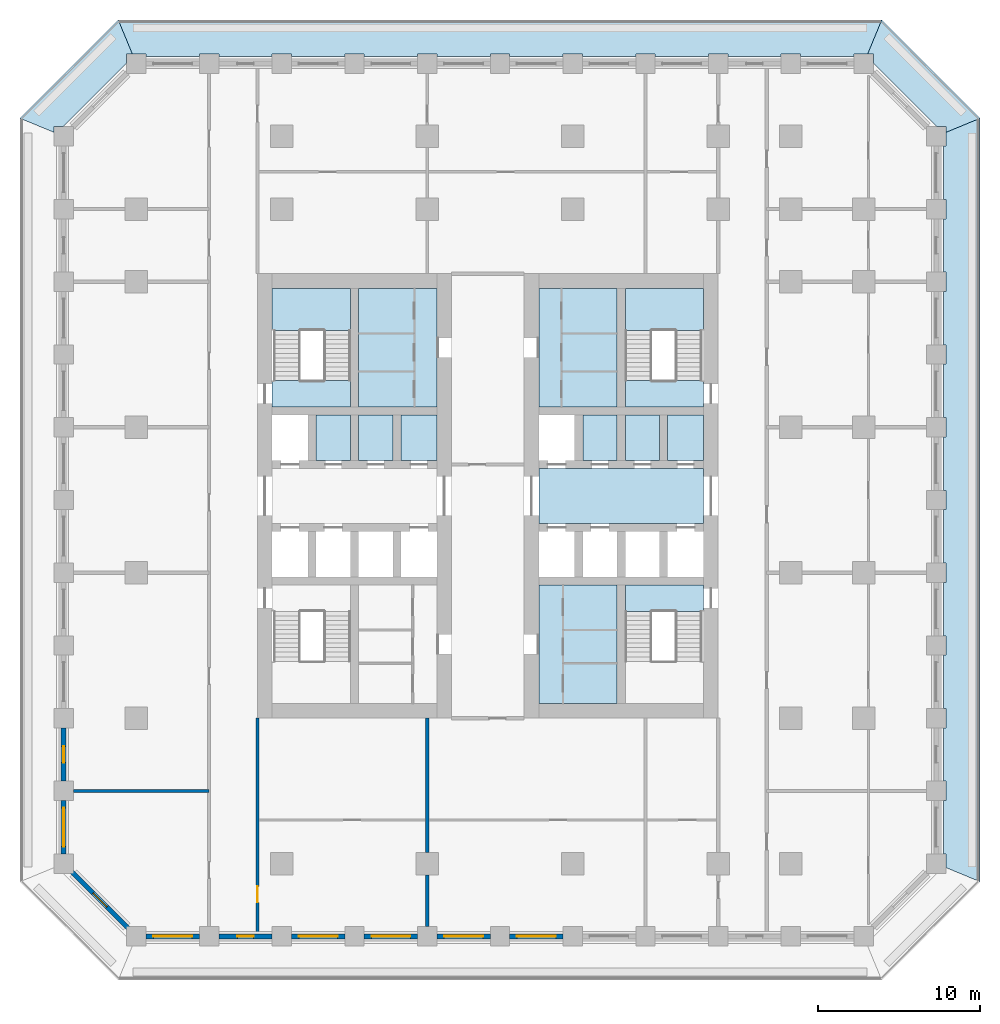
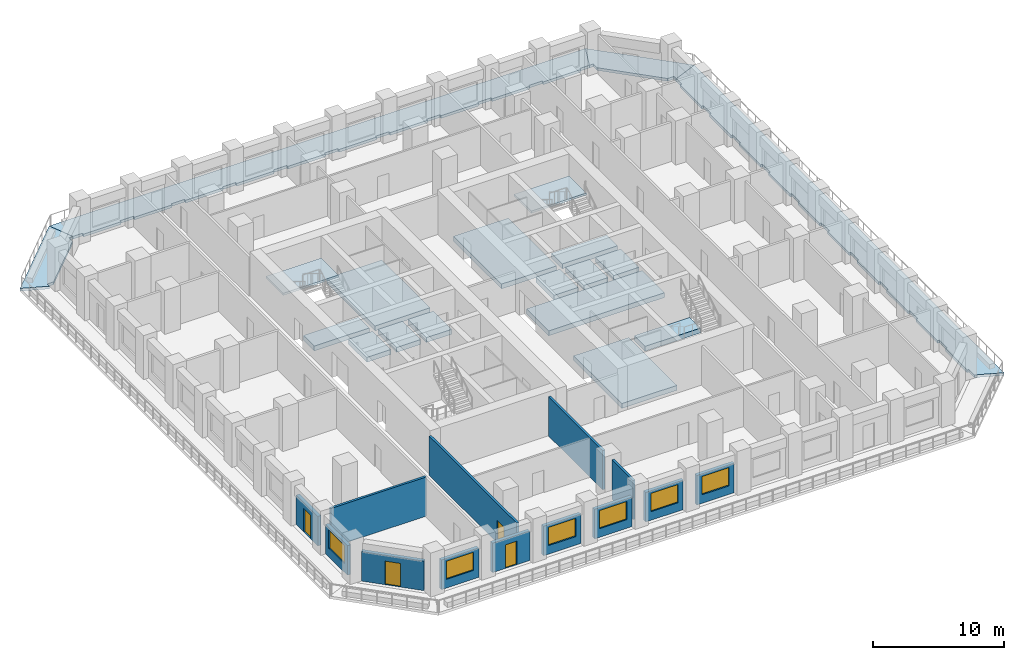
# One storey, part 2 of 17: 19 slabs, 13 walls, 6 windows, 4 doors, 10 openings, 2 elements without a shape of their own.
"""IFC4 building model written with IfcOpenShell, lengths in metres."""

from ifc_helpers import new_model, si_unit, direction, frame, frame_2d, origin, place, context, subcontext, project, spatial, polyline, rectangle, outline, extrude, material, layer, layer_set, type_object, element, fill, aggregate, save


model = new_model("IFC4")

# Units and contexts
model_context = context("Model", 3, precision=1e-05, world=origin(), true_north=direction((0.0, 1.0)))
body_context = subcontext(model_context, "Body", "Model", "MODEL_VIEW")
ifc_project = project(units=[si_unit("LENGTHUNIT", "METRE"), si_unit("AREAUNIT", "SQUARE_METRE"), si_unit("VOLUMEUNIT", "CUBIC_METRE"), si_unit("PLANEANGLEUNIT", "RADIAN"), si_unit("MASSUNIT", "GRAM", prefix="KILO")], contexts=[model_context])

# Site, building, storey
site_placement = place(None, origin())
site = spatial("IfcSite", under=ifc_project, at=site_placement, CompositionType="ELEMENT")
building_placement = place(site_placement, origin())
building = spatial("IfcBuilding", under=site, at=building_placement, Name="Corbel Stack Research Tower", CompositionType="ELEMENT")
storey_placement = place(building_placement, frame((0.0, 0.0, 94.300048828125)))
storey = spatial("IfcBuildingStorey", under=building, at=storey_placement, Name="L21", CompositionType="ELEMENT", Elevation=94.300048828125)

# Slabs
ifc_material_1 = material(Name="Concrete C45/55", Category="concrete")
ifc_layer_1 = layer(ifc_material_1, 0.25)
ifc_layer_set_1 = layer_set([ifc_layer_1], Name="Concrete C45/55")
slab_type_1 = type_object("IfcSlabType", Name="PT balcony slab 250 C45/55", PredefinedType="FLOOR", material=ifc_layer_set_1)
slab_1_placement = place(storey_placement, frame((0.0, 0.0, -0.25)))
element("IfcSlab", 1, at=slab_1_placement, inside=storey, type_object=slab_type_1, Name="Loggia slab L21 E", PredefinedType="FLOOR", context=body_context, shape_type="SweptSolid", body=[
    extrude(outline(polyline([(32.10009765625, 27.24853515625), (32.10009765625, 26.39990234375), (31.949951171875, 26.39990234375), (31.949951171875, 23.10009765625), (32.10009765625, 23.10009765625), (32.10009765625, 21.89990234375), (31.949951171875, 21.89990234375), (31.949951171875, 18.60009765625), (32.10009765625, 18.60009765625), (32.10009765625, 17.39990234375), (31.949951171875, 17.39990234375), (31.949951171875, 14.10009765625), (32.10009765625, 14.10009765625), (32.10009765625, 12.89990234375), (31.949951171875, 12.89990234375), (31.949951171875, 9.60009765625), (32.10009765625, 9.60009765625), (32.10009765625, 8.39990234375), (31.949951171875, 8.39990234375), (31.949951171875, 5.10009765625), (32.10009765625, 5.10009765625), (32.10009765625, 3.89990234375), (31.949951171875, 3.89990234375), (31.949951171875, 0.60009765625), (32.10009765625, 0.60009765625), (32.10009765625, -0.60009765625), (31.949951171875, -0.60009765625), (31.949951171875, -3.89990234375), (32.10009765625, -3.89990234375), (32.10009765625, -5.10009765625), (31.949951171875, -5.10009765625), (31.949951171875, -8.39990234375), (32.10009765625, -8.39990234375), (32.10009765625, -9.60009765625), (31.949951171875, -9.60009765625), (31.949951171875, -12.89990234375), (32.10009765625, -12.89990234375), (32.10009765625, -14.10009765625), (31.949951171875, -14.10009765625), (31.949951171875, -17.39990234375), (32.10009765625, -17.39990234375), (32.10009765625, -18.24853515625), (34.199951171875, -19.118408203125), (34.199951171875, 28.118408203125), (32.10009765625, 27.24853515625)])), origin(), (0.0, 0.0, 1.0), 0.25),
])
slab_2_placement = place(storey_placement, frame((0.0, 0.0, -0.25)))
element("IfcSlab", 2, at=slab_2_placement, inside=storey, type_object=slab_type_1, Name="Loggia slab L21 NE", PredefinedType="FLOOR", context=body_context, shape_type="SweptSolid", body=[
    extrude(outline(polyline([(27.24853515625, 32.10009765625), (27.60009765625, 32.10009765625), (27.60009765625, 31.536376953125), (31.536376953125, 27.60009765625), (32.10009765625, 27.60009765625), (32.10009765625, 27.24853515625), (34.199951171875, 28.118408203125), (28.118408203125, 34.199951171875), (27.24853515625, 32.10009765625)])), origin(), (0.0, 0.0, 1.0), 0.25),
])
slab_3_placement = place(storey_placement, frame((0.0, 0.0, -0.25)))
element("IfcSlab", 3, at=slab_3_placement, inside=storey, type_object=slab_type_1, Name="Loggia slab L21 N", PredefinedType="FLOOR", context=body_context, shape_type="SweptSolid", body=[
    extrude(outline(polyline([(-18.24853515625, 32.10009765625), (-17.39990234375, 32.10009765625), (-17.39990234375, 31.949951171875), (-14.10009765625, 31.949951171875), (-14.10009765625, 32.10009765625), (-12.89990234375, 32.10009765625), (-12.89990234375, 31.949951171875), (-9.60009765625, 31.949951171875), (-9.60009765625, 32.10009765625), (-8.39990234375, 32.10009765625), (-8.39990234375, 31.949951171875), (-5.10009765625, 31.949951171875), (-5.10009765625, 32.10009765625), (-3.89990234375, 32.10009765625), (-3.89990234375, 31.949951171875), (-0.60009765625, 31.949951171875), (-0.60009765625, 32.10009765625), (0.60009765625, 32.10009765625), (0.60009765625, 31.949951171875), (3.89990234375, 31.949951171875), (3.89990234375, 32.10009765625), (5.10009765625, 32.10009765625), (5.10009765625, 31.949951171875), (8.39990234375, 31.949951171875), (8.39990234375, 32.10009765625), (9.60009765625, 32.10009765625), (9.60009765625, 31.949951171875), (12.89990234375, 31.949951171875), (12.89990234375, 32.10009765625), (14.10009765625, 32.10009765625), (14.10009765625, 31.949951171875), (17.39990234375, 31.949951171875), (17.39990234375, 32.10009765625), (18.60009765625, 32.10009765625), (18.60009765625, 31.949951171875), (21.89990234375, 31.949951171875), (21.89990234375, 32.10009765625), (23.10009765625, 32.10009765625), (23.10009765625, 31.949951171875), (26.39990234375, 31.949951171875), (26.39990234375, 32.10009765625), (27.24853515625, 32.10009765625), (28.118408203125, 34.199951171875), (-19.118408203125, 34.199951171875), (-18.24853515625, 32.10009765625)])), origin(), (0.0, 0.0, 1.0), 0.25),
])
slab_4_placement = place(storey_placement, frame((0.0, 0.0, -0.25)))
element("IfcSlab", 4, at=slab_4_placement, inside=storey, type_object=slab_type_1, Name="Loggia slab L21 NW", PredefinedType="FLOOR", context=body_context, shape_type="SweptSolid", body=[
    extrude(outline(polyline([(-23.10009765625, 27.24853515625), (-23.10009765625, 27.60009765625), (-22.536376953125, 27.60009765625), (-18.60009765625, 31.536376953125), (-18.60009765625, 32.10009765625), (-18.24853515625, 32.10009765625), (-19.118408203125, 34.199951171875), (-25.199951171875, 28.118408203125), (-23.10009765625, 27.24853515625)])), origin(), (0.0, 0.0, 1.0), 0.25),
])
ifc_material_2 = material(Name="Concrete C45/55", Category="concrete")
ifc_layer_2 = layer(ifc_material_2, 0.449951171875)
ifc_layer_set_2 = layer_set([ifc_layer_2], Name="Concrete C45/55")
slab_type_2 = type_object("IfcSlabType", Name="PT-450", PredefinedType="FLOOR", material=ifc_layer_set_2)
slab_5_placement = place(storey_placement, frame((0.0, 0.0, -0.449951171875)))
element("IfcSlab", 5, at=slab_5_placement, inside=storey, type_object=slab_type_2, Name="West core floor L21", PredefinedType="FLOOR", context=body_context, shape_type="SweptSolid", body=[
    extrude(outline(polyline([(-6.875, 6.949951171875), (-4.75, 6.949951171875), (-4.75, 9.75), (-6.875, 9.75), (-6.875, 6.949951171875)])), origin(), (0.0, 0.0, 1.0), 0.449951171875),
])
slab_6_placement = place(storey_placement, frame((0.0, 0.0, -0.449951171875)))
element("IfcSlab", 6, at=slab_6_placement, inside=storey, type_object=slab_type_2, Name="West core floor L21", PredefinedType="FLOOR", context=body_context, shape_type="SweptSolid", body=[
    extrude(outline(polyline([(-2.125, 6.949951171875), (-2.125, 9.75), (-4.25, 9.75), (-4.25, 6.949951171875), (-2.125, 6.949951171875)])), origin(), (0.0, 0.0, 1.0), 0.449951171875),
])
slab_7_placement = place(storey_placement, frame((0.0, 0.0, -0.449951171875)))
element("IfcSlab", 7, at=slab_7_placement, inside=storey, type_object=slab_type_2, Name="West core floor L21", PredefinedType="FLOOR", context=body_context, shape_type="SweptSolid", body=[
    extrude(outline(polyline([(0.60009765625, 17.60009765625), (-4.25, 17.60009765625), (-4.25, 10.25), (0.60009765625, 10.25), (0.60009765625, 17.60009765625)])), origin(), (0.0, 0.0, 1.0), 0.449951171875),
])
slab_8_placement = place(storey_placement, frame((0.0, 0.0, -0.449951171875)))
element("IfcSlab", 8, at=slab_8_placement, inside=storey, type_object=slab_type_2, Name="West core floor L21", PredefinedType="FLOOR", context=body_context, shape_type="SweptSolid", body=[
    extrude(outline(polyline([(0.60009765625, 9.75), (-1.625, 9.75), (-1.625, 6.949951171875), (0.60009765625, 6.949951171875), (0.60009765625, 9.75)])), origin(), (0.0, 0.0, 1.0), 0.449951171875),
])
slab_9_placement = place(storey_placement, frame((0.0, 0.0, -0.449951171875)))
element("IfcSlab", 9, at=slab_9_placement, inside=storey, type_object=slab_type_2, Name="East core floor L21", PredefinedType="FLOOR", context=body_context, shape_type="SweptSolid", body=[
    extrude(outline(polyline([(11.75, -0.75), (6.89990234375, -0.75), (6.89990234375, -8.10009765625), (11.75, -8.10009765625), (11.75, -0.75)])), origin(), (0.0, 0.0, 1.0), 0.449951171875),
])
slab_10_placement = place(storey_placement, frame((0.0, 0.0, -0.449951171875)))
element("IfcSlab", 10, at=slab_10_placement, inside=storey, type_object=slab_type_2, Name="East core floor L21", PredefinedType="FLOOR", context=body_context, shape_type="SweptSolid", body=[
    extrude(outline(polyline([(6.89990234375, 6.449951171875), (6.89990234375, 3.050048828125), (17.10009765625, 3.050048828125), (17.10009765625, 6.449951171875), (6.89990234375, 6.449951171875)])), origin(), (0.0, 0.0, 1.0), 0.449951171875),
])
slab_11_placement = place(storey_placement, frame((0.0, 0.0, -0.449951171875)))
element("IfcSlab", 11, at=slab_11_placement, inside=storey, type_object=slab_type_2, Name="East core floor L21", PredefinedType="FLOOR", context=body_context, shape_type="SweptSolid", body=[
    extrude(outline(polyline([(6.89990234375, 17.60009765625), (6.89990234375, 10.25), (11.75, 10.25), (11.75, 17.60009765625), (6.89990234375, 17.60009765625)])), origin(), (0.0, 0.0, 1.0), 0.449951171875),
])
slab_12_placement = place(storey_placement, frame((0.0, 0.0, -0.449951171875)))
element("IfcSlab", 12, at=slab_12_placement, inside=storey, type_object=slab_type_2, Name="East core floor L21", PredefinedType="FLOOR", context=body_context, shape_type="SweptSolid", body=[
    extrude(outline(polyline([(9.625, 6.949951171875), (11.75, 6.949951171875), (11.75, 9.75), (9.625, 9.75), (9.625, 6.949951171875)])), origin(), (0.0, 0.0, 1.0), 0.449951171875),
])
slab_13_placement = place(storey_placement, frame((0.0, 0.0, -0.449951171875)))
element("IfcSlab", 13, at=slab_13_placement, inside=storey, type_object=slab_type_2, Name="East core floor L21", PredefinedType="FLOOR", context=body_context, shape_type="SweptSolid", body=[
    extrude(outline(polyline([(14.375, 6.949951171875), (14.375, 9.75), (12.25, 9.75), (12.25, 6.949951171875), (14.375, 6.949951171875)])), origin(), (0.0, 0.0, 1.0), 0.449951171875),
])
slab_14_placement = place(storey_placement, frame((0.0, 0.0, -0.449951171875)))
element("IfcSlab", 14, at=slab_14_placement, inside=storey, type_object=slab_type_2, Name="East core floor L21", PredefinedType="FLOOR", context=body_context, shape_type="SweptSolid", body=[
    extrude(outline(polyline([(17.10009765625, 6.949951171875), (17.10009765625, 9.75), (14.875, 9.75), (14.875, 6.949951171875), (17.10009765625, 6.949951171875)])), origin(), (0.0, 0.0, 1.0), 0.449951171875),
])
slab_15_placement = place(storey_placement, frame((0.0, 0.0, -0.449951171875)))
element("IfcSlab", 15, at=slab_15_placement, inside=storey, type_object=slab_type_2, Name="Stair floor landing ST-W2", PredefinedType="FLOOR", context=body_context, shape_type="SweptSolid", body=[
    extrude(outline(polyline([(-9.60009765625, 10.25), (-4.75, 10.25), (-4.75, 11.89990234375), (-9.60009765625, 11.89990234375), (-9.60009765625, 10.25)])), origin(), (0.0, 0.0, 1.0), 0.449951171875),
])
slab_16_placement = place(storey_placement, frame((0.0, 0.0, -0.449951171875)))
element("IfcSlab", 16, at=slab_16_placement, inside=storey, type_object=slab_type_2, Name="Stair floor landing ST-E1", PredefinedType="FLOOR", context=body_context, shape_type="SweptSolid", body=[
    extrude(outline(polyline([(12.25, -2.39990234375), (17.10009765625, -2.39990234375), (17.10009765625, -0.75), (12.25, -0.75), (12.25, -2.39990234375)])), origin(), (0.0, 0.0, 1.0), 0.449951171875),
])
slab_17_placement = place(storey_placement, frame((0.0, 0.0, -0.449951171875)))
element("IfcSlab", 17, at=slab_17_placement, inside=storey, type_object=slab_type_2, Name="Stair floor landing ST-E2", PredefinedType="FLOOR", context=body_context, shape_type="SweptSolid", body=[
    extrude(outline(polyline([(12.25, 10.25), (17.10009765625, 10.25), (17.10009765625, 11.89990234375), (12.25, 11.89990234375), (12.25, 10.25)])), origin(), (0.0, 0.0, 1.0), 0.449951171875),
])

# Stair, slab
ifc_material_3 = material(Name="Concrete C40/50", Category="concrete")
stair_type = type_object("IfcStairType", Name="Exit stair 24 risers", PredefinedType="HALF_TURN_STAIR", material=ifc_material_3)
stair_1_placement = place(storey_placement, origin())
stair_1 = element("IfcStair", 18, at=stair_1_placement, inside=storey, type_object=stair_type, Name="L21 Exit stair ST-W2", PredefinedType="HALF_TURN_STAIR")
ifc_material_4 = material(Name="Concrete C40/50", Category="concrete")
ifc_layer_3 = layer(ifc_material_4, 0.199951171875)
ifc_layer_set_3 = layer_set([ifc_layer_3], Name="Concrete C40/50")
slab_type_3 = type_object("IfcSlabType", Name="Stair landing 200 C40/50", PredefinedType="LANDING", material=ifc_layer_set_3)
slab_18_placement = place(storey_placement, frame((0.0, 0.0, 1.849853515625)))
slab_18 = element("IfcSlab", 19, at=slab_18_placement, type_object=slab_type_3, Name="ST-W2 landing 1", PredefinedType="LANDING", context=body_context, shape_type="SweptSolid", body=[
    extrude(outline(polyline([(-9.60009765625, 14.97998046875), (-9.60009765625, 17.60009765625), (-4.75, 17.60009765625), (-4.75, 14.97998046875), (-9.60009765625, 14.97998046875)])), origin(), (0.0, 0.0, 1.0), 0.2001953125),
])
aggregate(stair_1, [slab_18])

stair_2_placement = place(storey_placement, origin())
stair_2 = element("IfcStair", 20, at=stair_2_placement, inside=storey, type_object=stair_type, Name="L21 Exit stair ST-E2", PredefinedType="HALF_TURN_STAIR")
slab_19_placement = place(storey_placement, frame((0.0, 0.0, 1.849853515625)))
slab_19 = element("IfcSlab", 21, at=slab_19_placement, type_object=slab_type_3, Name="ST-E2 landing 1", PredefinedType="LANDING", context=body_context, shape_type="SweptSolid", body=[
    extrude(outline(polyline([(12.25, 14.97998046875), (12.25, 17.60009765625), (17.10009765625, 17.60009765625), (17.10009765625, 14.97998046875), (12.25, 14.97998046875)])), origin(), (0.0, 0.0, 1.0), 0.2001953125),
])
aggregate(stair_2, [slab_19])

# Wall, opening, door
ifc_material_5 = material(Name="Fire-rated gypsum board partition on steel studs", Category="steel")
ifc_layer_4 = layer(ifc_material_5, 0.199951171875)
ifc_layer_set_4 = layer_set([ifc_layer_4], Name="Fire-rated gypsum board partition on steel studs")
wall_type_1 = type_object("IfcWallType", Name="Fire-rated partition 200 EI 60", PredefinedType="PARTITIONING", material=ifc_layer_set_4)
wall_1_placement = place(storey_placement, frame((-10.5, -9.0, 0.0), z_axis=(0.0, 0.0, 1.0), x_axis=(0.0, -1.0, 0.0)))
wall_1 = element("IfcWall", 22, at=wall_1_placement, inside=storey, type_object=wall_type_1, Name="Partition L21-002", PredefinedType="PARTITIONING", context=body_context, shape_type="SweptSolid", body=[
    extrude(rectangle(XDim=13.35009765625, YDim=0.199951171875, at=frame_2d((6.675048828125, 0.0))), origin(), (0.0, 0.0, 1.0), 3.64990234375),
])
opening_1_placement = place(wall_1_placement, frame((10.39990234375, 0.0, 0.0)))
opening_1 = element("IfcOpeningElement", 23, at=opening_1_placement, cuts=wall_1, Name="Opening B3V1-010", PredefinedType="OPENING", context=body_context, shape_type="SweptSolid", body=[
    extrude(rectangle(XDim=1.0, YDim=2.10009765625, at=frame_2d((0.5, 1.050048828125))), frame((0.0, 0.10986328125, 0.0), z_axis=(0.0, -1.0, 0.0), x_axis=(1.0, 0.0, 0.0)), (0.0, 0.0, 1.0), 0.219970703125),
])
ifc_material_6 = material(Name="Painted steel fire door", Category="steel")
door_type_1 = type_object("IfcDoorType", Name="Fire door FD30S 1000 x 2100", OperationType="NOTDEFINED", PredefinedType="DOOR", material=ifc_material_6)
door_1_placement = place(opening_1_placement, origin())
door_1 = element("IfcDoor", 24, at=door_1_placement, inside=storey, type_object=door_type_1, Name="Door B3V1-010", OperationType="SINGLE_SWING_RIGHT", OverallHeight=2.10009765625, OverallWidth=1.0, PredefinedType="DOOR", context=body_context, shape_type="SweptSolid", body=[
    extrude(rectangle(XDim=1.0, YDim=2.10009765625, at=frame_2d((0.5, 1.050048828125))), frame((0.0, 0.02490234375, 0.0), z_axis=(0.0, -1.0, 0.0), x_axis=(1.0, 0.0, 0.0)), (0.0, 0.0, 1.0), 0.050048828125),
])
fill(opening_1, door_1)

# Walls
wall_2_placement = place(storey_placement, frame((0.0, -21.89990234375, 0.0), z_axis=(0.0, 0.0, 1.0), x_axis=(0.0, 1.0, 0.0)))
element("IfcWall", 25, at=wall_2_placement, inside=storey, type_object=wall_type_1, Name="Partition L21-007", PredefinedType="PARTITIONING", context=body_context, shape_type="SweptSolid", body=[
    extrude(rectangle(XDim=3.199951171875, YDim=0.199951171875, at=frame_2d((1.60009765625, 0.0))), origin(), (0.0, 0.0, 1.0), 3.64990234375),
])
wall_3_placement = place(storey_placement, frame((0.0, -17.300048828125, 0.0), z_axis=(0.0, 0.0, 1.0), x_axis=(0.0, 1.0, 0.0)))
element("IfcWall", 26, at=wall_3_placement, inside=storey, type_object=wall_type_1, Name="Partition L21-008", PredefinedType="PARTITIONING", context=body_context, shape_type="SweptSolid", body=[
    extrude(rectangle(XDim=8.300048828125, YDim=0.199951171875, at=frame_2d((4.14990234375, 0.0))), origin(), (0.0, 0.0, 1.0), 3.64990234375),
])
wall_4_placement = place(storey_placement, frame((-21.89990234375, -13.5, 0.0), z_axis=(0.0, 0.0, 1.0), x_axis=(1.0, 0.0, 0.0)))
element("IfcWall", 27, at=wall_4_placement, inside=storey, type_object=wall_type_1, Name="Partition L21-024", PredefinedType="PARTITIONING", context=body_context, shape_type="SweptSolid", body=[
    extrude(rectangle(XDim=8.39990234375, YDim=0.199951171875, at=frame_2d((4.199951171875, 0.0))), origin(), (0.0, 0.0, 1.0), 3.64990234375),
])

# Wall, opening, window
ifc_material_7 = material(Name="Concrete C45/55", Category="concrete")
ifc_layer_5 = layer(ifc_material_7, 0.300048828125)
ifc_layer_set_5 = layer_set([ifc_layer_5], Name="Concrete C45/55")
wall_type_2 = type_object("IfcWallType", Name="Terracotta-faced concrete wall 300", PredefinedType="SOLIDWALL", material=ifc_layer_set_5)
wall_5_placement = place(storey_placement, frame((-14.10009765625, -22.5, 0.0), z_axis=(0.0, 0.0, 1.0), x_axis=(-1.0, 0.0, 0.0)))
wall_5 = element("IfcWall", 28, at=wall_5_placement, inside=storey, type_object=wall_type_2, Name="Facade wall L21 S01", PredefinedType="SOLIDWALL", context=body_context, shape_type="SweptSolid", body=[
    extrude(rectangle(XDim=3.2998046875, YDim=0.300048828125, at=frame_2d((1.64990234375, 0.0))), origin(), (0.0, 0.0, 1.0), 2.75),
])
opening_2_placement = place(wall_5_placement, frame((0.449951171875, 0.0, 0.800048828125)))
opening_2 = element("IfcOpeningElement", 29, at=opening_2_placement, cuts=wall_5, Name="Opening W1", PredefinedType="OPENING", context=body_context, shape_type="SweptSolid", body=[
    extrude(rectangle(XDim=2.39990234375, YDim=1.699951171875, at=frame_2d((1.199951171875, 0.85009765625))), frame((0.0, 0.159912109375, 0.0), z_axis=(0.0, -1.0, 0.0), x_axis=(1.0, 0.0, 0.0)), (0.0, 0.0, 1.0), 0.320068359375),
])
ifc_material_8 = material(Name="Aluminium frame, clear double glazing", Category="aluminium")
window_type = type_object("IfcWindowType", Name="Window W1 2400 x 1700", PartitioningType="SINGLE_PANEL", PredefinedType="WINDOW", material=ifc_material_8)
window_1_placement = place(opening_2_placement, origin())
window_1 = element("IfcWindow", 30, at=window_1_placement, inside=storey, type_object=window_type, Name="Window W1 L21 S01", OverallHeight=1.699951171875, OverallWidth=2.39990234375, PartitioningType="SINGLE_PANEL", PredefinedType="WINDOW", context=body_context, shape_type="SweptSolid", body=[
    extrude(rectangle(XDim=2.39990234375, YDim=1.699951171875, at=frame_2d((1.199951171875, 0.85009765625))), frame((0.0, 0.030029296875, 0.0), z_axis=(0.0, -1.0, 0.0), x_axis=(1.0, 0.0, 0.0)), (0.0, 0.0, 1.0), 0.06005859375),
])
fill(opening_2, window_1)

# Wall, opening, door
wall_6_placement = place(storey_placement, frame((-9.60009765625, -22.5, 0.0), z_axis=(0.0, 0.0, 1.0), x_axis=(-1.0, 0.0, 0.0)))
wall_6 = element("IfcWall", 31, at=wall_6_placement, inside=storey, type_object=wall_type_2, Name="Facade wall L21 S02", PredefinedType="SOLIDWALL", context=body_context, shape_type="SweptSolid", body=[
    extrude(rectangle(XDim=3.2998046875, YDim=0.300048828125, at=frame_2d((1.64990234375, 0.0))), origin(), (0.0, 0.0, 1.0), 2.75),
])
opening_3_placement = place(wall_6_placement, frame((1.14990234375, 0.0, 0.0)))
opening_3 = element("IfcOpeningElement", 32, at=opening_3_placement, cuts=wall_6, Name="Opening L21-B01", PredefinedType="OPENING", context=body_context, shape_type="SweptSolid", body=[
    extrude(rectangle(XDim=1.0, YDim=2.199951171875, at=frame_2d((0.5, 1.10009765625))), frame((0.0, 0.159912109375, 0.0), z_axis=(0.0, -1.0, 0.0), x_axis=(1.0, 0.0, 0.0)), (0.0, 0.0, 1.0), 0.320068359375),
])
ifc_material_9 = material(Name="Aluminium frame, clear double glazing", Category="aluminium")
door_type_2 = type_object("IfcDoorType", Name="Balcony door BD1 1000 x 2200", OperationType="NOTDEFINED", PredefinedType="DOOR", material=ifc_material_9)
door_2_placement = place(opening_3_placement, origin())
door_2 = element("IfcDoor", 33, at=door_2_placement, inside=storey, type_object=door_type_2, Name="Balcony door L21-B01", OperationType="SINGLE_SWING_LEFT", OverallHeight=2.199951171875, OverallWidth=1.0, PredefinedType="DOOR", context=body_context, shape_type="SweptSolid", body=[
    extrude(rectangle(XDim=1.0, YDim=2.199951171875, at=frame_2d((0.5, 1.10009765625))), frame((0.0, 0.02490234375, 0.0), z_axis=(0.0, -1.0, 0.0), x_axis=(1.0, 0.0, 0.0)), (0.0, 0.0, 1.0), 0.050048828125),
])
fill(opening_3, door_2)

# Wall, opening, window
wall_7_placement = place(storey_placement, frame((-5.10009765625, -22.5, 0.0), z_axis=(0.0, 0.0, 1.0), x_axis=(-1.0, 0.0, 0.0)))
wall_7 = element("IfcWall", 34, at=wall_7_placement, inside=storey, type_object=wall_type_2, Name="Facade wall L21 S03", PredefinedType="SOLIDWALL", context=body_context, shape_type="SweptSolid", body=[
    extrude(rectangle(XDim=3.2998046875, YDim=0.300048828125, at=frame_2d((1.64990234375, 0.0))), origin(), (0.0, 0.0, 1.0), 2.75),
])
opening_4_placement = place(wall_7_placement, frame((0.449951171875, 0.0, 0.800048828125)))
opening_4 = element("IfcOpeningElement", 35, at=opening_4_placement, cuts=wall_7, Name="Opening W1", PredefinedType="OPENING", context=body_context, shape_type="SweptSolid", body=[
    extrude(rectangle(XDim=2.39990234375, YDim=1.699951171875, at=frame_2d((1.199951171875, 0.85009765625))), frame((0.0, 0.159912109375, 0.0), z_axis=(0.0, -1.0, 0.0), x_axis=(1.0, 0.0, 0.0)), (0.0, 0.0, 1.0), 0.320068359375),
])
window_2_placement = place(opening_4_placement, origin())
window_2 = element("IfcWindow", 36, at=window_2_placement, inside=storey, type_object=window_type, Name="Window W1 L21 S03", OverallHeight=1.699951171875, OverallWidth=2.39990234375, PartitioningType="SINGLE_PANEL", PredefinedType="WINDOW", context=body_context, shape_type="SweptSolid", body=[
    extrude(rectangle(XDim=2.39990234375, YDim=1.699951171875, at=frame_2d((1.199951171875, 0.85009765625))), frame((0.0, 0.030029296875, 0.0), z_axis=(0.0, -1.0, 0.0), x_axis=(1.0, 0.0, 0.0)), (0.0, 0.0, 1.0), 0.06005859375),
])
fill(opening_4, window_2)

wall_8_placement = place(storey_placement, frame((-0.60009765625, -22.5, 0.0), z_axis=(0.0, 0.0, 1.0), x_axis=(-1.0, 0.0, 0.0)))
wall_8 = element("IfcWall", 37, at=wall_8_placement, inside=storey, type_object=wall_type_2, Name="Facade wall L21 S04", PredefinedType="SOLIDWALL", context=body_context, shape_type="SweptSolid", body=[
    extrude(rectangle(XDim=3.2998046875, YDim=0.300048828125, at=frame_2d((1.64990234375, 0.0))), origin(), (0.0, 0.0, 1.0), 2.75),
])
opening_5_placement = place(wall_8_placement, frame((0.449951171875, 0.0, 0.800048828125)))
opening_5 = element("IfcOpeningElement", 38, at=opening_5_placement, cuts=wall_8, Name="Opening W1", PredefinedType="OPENING", context=body_context, shape_type="SweptSolid", body=[
    extrude(rectangle(XDim=2.39990234375, YDim=1.699951171875, at=frame_2d((1.199951171875, 0.85009765625))), frame((0.0, 0.159912109375, 0.0), z_axis=(0.0, -1.0, 0.0), x_axis=(1.0, 0.0, 0.0)), (0.0, 0.0, 1.0), 0.320068359375),
])
window_3_placement = place(opening_5_placement, origin())
window_3 = element("IfcWindow", 39, at=window_3_placement, inside=storey, type_object=window_type, Name="Window W1 L21 S04", OverallHeight=1.699951171875, OverallWidth=2.39990234375, PartitioningType="SINGLE_PANEL", PredefinedType="WINDOW", context=body_context, shape_type="SweptSolid", body=[
    extrude(rectangle(XDim=2.39990234375, YDim=1.699951171875, at=frame_2d((1.199951171875, 0.85009765625))), frame((0.0, 0.030029296875, 0.0), z_axis=(0.0, -1.0, 0.0), x_axis=(1.0, 0.0, 0.0)), (0.0, 0.0, 1.0), 0.06005859375),
])
fill(opening_5, window_3)

wall_9_placement = place(storey_placement, frame((3.89990234375, -22.5, 0.0), z_axis=(0.0, 0.0, 1.0), x_axis=(-1.0, 0.0, 0.0)))
wall_9 = element("IfcWall", 40, at=wall_9_placement, inside=storey, type_object=wall_type_2, Name="Facade wall L21 S05", PredefinedType="SOLIDWALL", context=body_context, shape_type="SweptSolid", body=[
    extrude(rectangle(XDim=3.2998046875, YDim=0.300048828125, at=frame_2d((1.64990234375, 0.0))), origin(), (0.0, 0.0, 1.0), 2.75),
])
opening_6_placement = place(wall_9_placement, frame((0.449951171875, 0.0, 0.800048828125)))
opening_6 = element("IfcOpeningElement", 41, at=opening_6_placement, cuts=wall_9, Name="Opening W1", PredefinedType="OPENING", context=body_context, shape_type="SweptSolid", body=[
    extrude(rectangle(XDim=2.39990234375, YDim=1.699951171875, at=frame_2d((1.199951171875, 0.85009765625))), frame((0.0, 0.159912109375, 0.0), z_axis=(0.0, -1.0, 0.0), x_axis=(1.0, 0.0, 0.0)), (0.0, 0.0, 1.0), 0.320068359375),
])
window_4_placement = place(opening_6_placement, origin())
window_4 = element("IfcWindow", 42, at=window_4_placement, inside=storey, type_object=window_type, Name="Window W1 L21 S05", OverallHeight=1.699951171875, OverallWidth=2.39990234375, PartitioningType="SINGLE_PANEL", PredefinedType="WINDOW", context=body_context, shape_type="SweptSolid", body=[
    extrude(rectangle(XDim=2.39990234375, YDim=1.699951171875, at=frame_2d((1.199951171875, 0.85009765625))), frame((0.0, 0.030029296875, 0.0), z_axis=(0.0, -1.0, 0.0), x_axis=(1.0, 0.0, 0.0)), (0.0, 0.0, 1.0), 0.06005859375),
])
fill(opening_6, window_4)

wall_10_placement = place(storey_placement, frame((8.39990234375, -22.5, 0.0), z_axis=(0.0, 0.0, 1.0), x_axis=(-1.0, 0.0, 0.0)))
wall_10 = element("IfcWall", 43, at=wall_10_placement, inside=storey, type_object=wall_type_2, Name="Facade wall L21 S06", PredefinedType="SOLIDWALL", context=body_context, shape_type="SweptSolid", body=[
    extrude(rectangle(XDim=3.2998046875, YDim=0.300048828125, at=frame_2d((1.64990234375, 0.0))), origin(), (0.0, 0.0, 1.0), 2.75),
])
opening_7_placement = place(wall_10_placement, frame((0.449951171875, 0.0, 0.800048828125)))
opening_7 = element("IfcOpeningElement", 44, at=opening_7_placement, cuts=wall_10, Name="Opening W1", PredefinedType="OPENING", context=body_context, shape_type="SweptSolid", body=[
    extrude(rectangle(XDim=2.39990234375, YDim=1.699951171875, at=frame_2d((1.199951171875, 0.85009765625))), frame((0.0, 0.159912109375, 0.0), z_axis=(0.0, -1.0, 0.0), x_axis=(1.0, 0.0, 0.0)), (0.0, 0.0, 1.0), 0.320068359375),
])
window_5_placement = place(opening_7_placement, origin())
window_5 = element("IfcWindow", 45, at=window_5_placement, inside=storey, type_object=window_type, Name="Window W1 L21 S06", OverallHeight=1.699951171875, OverallWidth=2.39990234375, PartitioningType="SINGLE_PANEL", PredefinedType="WINDOW", context=body_context, shape_type="SweptSolid", body=[
    extrude(rectangle(XDim=2.39990234375, YDim=1.699951171875, at=frame_2d((1.199951171875, 0.85009765625))), frame((0.0, 0.030029296875, 0.0), z_axis=(0.0, -1.0, 0.0), x_axis=(1.0, 0.0, 0.0)), (0.0, 0.0, 1.0), 0.06005859375),
])
fill(opening_7, window_5)

# Wall, opening, door
wall_11_placement = place(storey_placement, frame((-22.5, -12.89990234375, 0.0), z_axis=(0.0, 0.0, 1.0), x_axis=(0.0, 1.0, 0.0)))
wall_11 = element("IfcWall", 46, at=wall_11_placement, inside=storey, type_object=wall_type_2, Name="Facade wall L21 W09", PredefinedType="SOLIDWALL", context=body_context, shape_type="SweptSolid", body=[
    extrude(rectangle(XDim=3.2998046875, YDim=0.300048828125, at=frame_2d((1.64990234375, 0.0))), origin(), (0.0, 0.0, 1.0), 2.75),
])
opening_8_placement = place(wall_11_placement, frame((1.14990234375, 0.0, 0.0)))
opening_8 = element("IfcOpeningElement", 47, at=opening_8_placement, cuts=wall_11, Name="Opening L21-B11", PredefinedType="OPENING", context=body_context, shape_type="SweptSolid", body=[
    extrude(rectangle(XDim=1.0, YDim=2.199951171875, at=frame_2d((0.5, 1.10009765625))), frame((0.0, 0.159912109375, 0.0), z_axis=(0.0, -1.0, 0.0), x_axis=(1.0, 0.0, 0.0)), (0.0, 0.0, 1.0), 0.320068359375),
])
door_3_placement = place(opening_8_placement, origin())
door_3 = element("IfcDoor", 48, at=door_3_placement, inside=storey, type_object=door_type_2, Name="Balcony door L21-B11", OperationType="SINGLE_SWING_RIGHT", OverallHeight=2.199951171875, OverallWidth=1.0, PredefinedType="DOOR", context=body_context, shape_type="SweptSolid", body=[
    extrude(rectangle(XDim=1.0, YDim=2.199951171875, at=frame_2d((0.5, 1.10009765625))), frame((0.0, 0.02490234375, 0.0), z_axis=(0.0, -1.0, 0.0), x_axis=(1.0, 0.0, 0.0)), (0.0, 0.0, 1.0), 0.050048828125),
])
fill(opening_8, door_3)

# Wall, opening, window
wall_12_placement = place(storey_placement, frame((-22.5, -17.39990234375, 0.0), z_axis=(0.0, 0.0, 1.0), x_axis=(0.0, 1.0, 0.0)))
wall_12 = element("IfcWall", 49, at=wall_12_placement, inside=storey, type_object=wall_type_2, Name="Facade wall L21 W10", PredefinedType="SOLIDWALL", context=body_context, shape_type="SweptSolid", body=[
    extrude(rectangle(XDim=3.2998046875, YDim=0.300048828125, at=frame_2d((1.64990234375, 0.0))), origin(), (0.0, 0.0, 1.0), 2.75),
])
opening_9_placement = place(wall_12_placement, frame((0.449951171875, 0.0, 0.800048828125)))
opening_9 = element("IfcOpeningElement", 50, at=opening_9_placement, cuts=wall_12, Name="Opening W1", PredefinedType="OPENING", context=body_context, shape_type="SweptSolid", body=[
    extrude(rectangle(XDim=2.39990234375, YDim=1.699951171875, at=frame_2d((1.199951171875, 0.85009765625))), frame((0.0, 0.159912109375, 0.0), z_axis=(0.0, -1.0, 0.0), x_axis=(1.0, 0.0, 0.0)), (0.0, 0.0, 1.0), 0.320068359375),
])
window_6_placement = place(opening_9_placement, origin())
window_6 = element("IfcWindow", 51, at=window_6_placement, inside=storey, type_object=window_type, Name="Window W1 L21 W10", OverallHeight=1.699951171875, OverallWidth=2.39990234375, PartitioningType="SINGLE_PANEL", PredefinedType="WINDOW", context=body_context, shape_type="SweptSolid", body=[
    extrude(rectangle(XDim=2.39990234375, YDim=1.699951171875, at=frame_2d((1.199951171875, 0.85009765625))), frame((0.0, 0.030029296875, 0.0), z_axis=(0.0, -1.0, 0.0), x_axis=(1.0, 0.0, 0.0)), (0.0, 0.0, 1.0), 0.06005859375),
])
fill(opening_9, window_6)

# Wall, opening, door
wall_13_placement = place(storey_placement, frame((-18.493896484375, -22.006103515625, 0.0), z_axis=(0.0, 0.0, 1.0), x_axis=(-0.707106781187, 0.707106781187, 0.0)))
wall_13 = element("IfcWall", 52, at=wall_13_placement, inside=storey, type_object=wall_type_2, Name="Facade wall L21 SW01", PredefinedType="SOLIDWALL", context=body_context, shape_type="SweptSolid", body=[
    extrude(rectangle(XDim=4.967041015625, YDim=0.300048828125, at=frame_2d((2.4833984375, 0.0))), origin(), (0.0, 0.0, 1.0), 2.75),
])
opening_10_placement = place(wall_13_placement, frame((1.883544921875, 0.0, 0.0)))
opening_10 = element("IfcOpeningElement", 53, at=opening_10_placement, cuts=wall_13, Name="Opening L21-B12", PredefinedType="OPENING", context=body_context, shape_type="SweptSolid", body=[
    extrude(rectangle(XDim=1.199951171875, YDim=2.199951171875, at=frame_2d((0.60009765625, 1.10009765625))), frame((0.0, 0.159912109375, 0.0), z_axis=(0.0, -1.0, 0.0), x_axis=(1.0, 0.0, 0.0)), (0.0, 0.0, 1.0), 0.320068359375),
])
ifc_material_10 = material(Name="Aluminium frame, clear double glazing", Category="aluminium")
door_type_3 = type_object("IfcDoorType", Name="Balcony door BD2 1200 x 2200", OperationType="NOTDEFINED", PredefinedType="DOOR", material=ifc_material_10)
door_4_placement = place(opening_10_placement, origin())
door_4 = element("IfcDoor", 54, at=door_4_placement, inside=storey, type_object=door_type_3, Name="Balcony door L21-B12", OperationType="SINGLE_SWING_RIGHT", OverallHeight=2.199951171875, OverallWidth=1.199951171875, PredefinedType="DOOR", context=body_context, shape_type="SweptSolid", body=[
    extrude(rectangle(XDim=1.199951171875, YDim=2.199951171875, at=frame_2d((0.60009765625, 1.10009765625))), frame((0.0, 0.02490234375, 0.0), z_axis=(0.0, -1.0, 0.0), x_axis=(1.0, 0.0, 0.0)), (0.0, 0.0, 1.0), 0.050048828125),
])
fill(opening_10, door_4)

save(model, "model.ifc")
